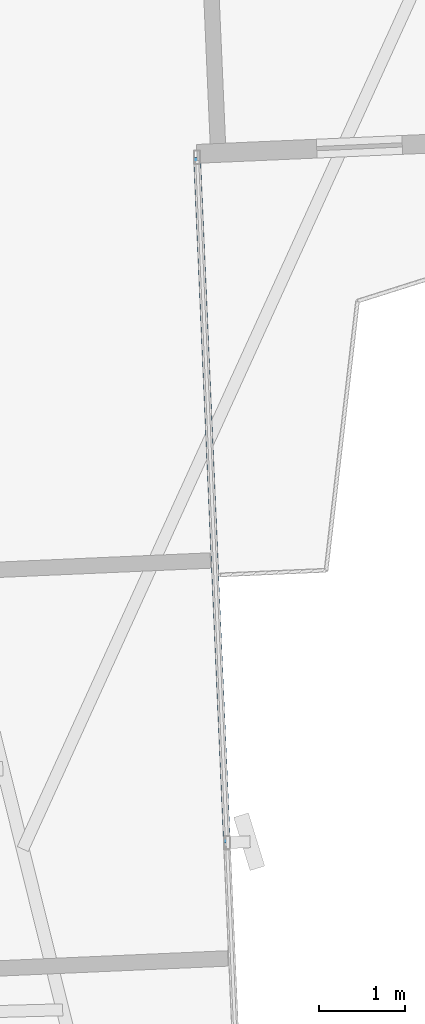
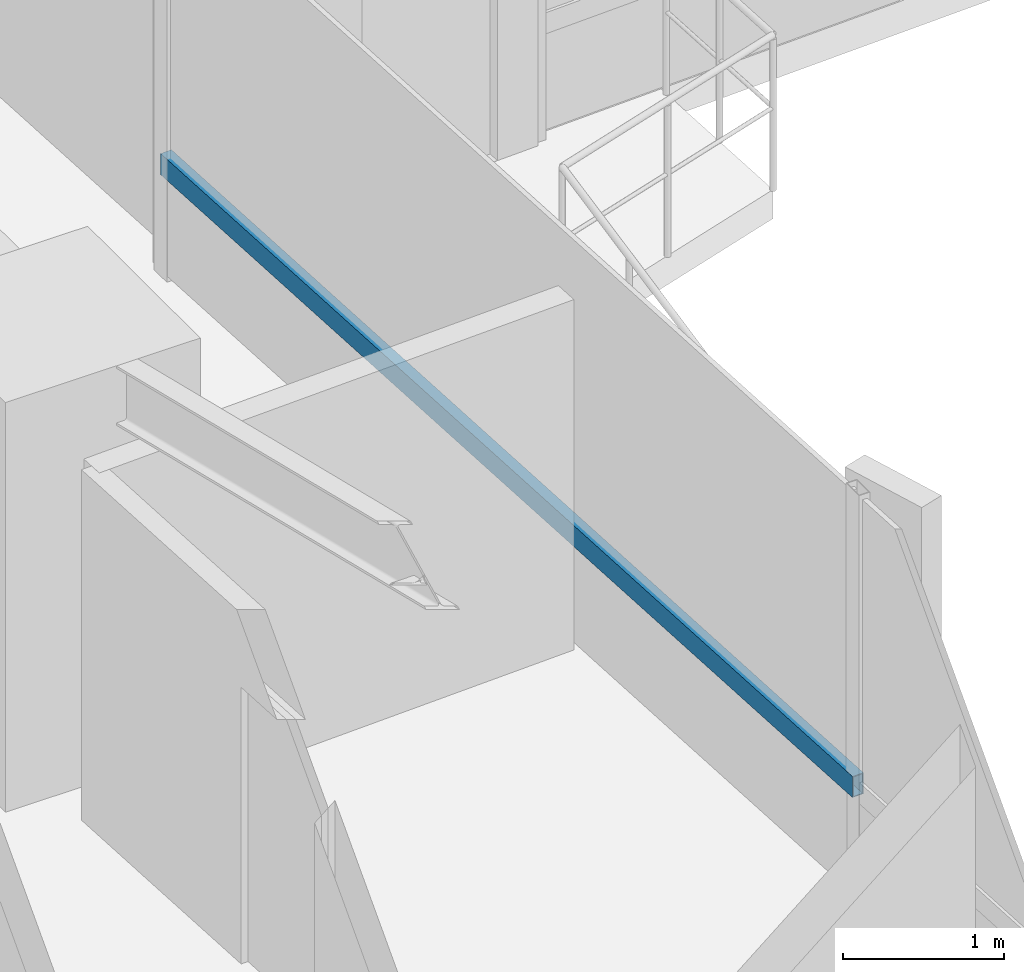
# One storey, part 7 of 26: 1 member, 1 element without a shape of its own.
"""IFC4 building model written with IfcOpenShell, lengths in metres."""

from ifc_helpers import new_model, si_unit, direction, frame, origin, origin_2d, place, context, subcontext, project, spatial, hollow_rectangle, extrude, source, transform, mapped, material, material_profile, profile_set, type_object, element, aggregate, save


model = new_model("IFC4")

# Units and contexts
model_context = context("Model", 3, precision=1e-05, world=origin(), true_north=direction((0.0, 1.0)))
body_context = subcontext(model_context, "Body", "Model", "MODEL_VIEW")
ifc_project = project(units=[si_unit("LENGTHUNIT", "METRE"), si_unit("AREAUNIT", "SQUARE_METRE"), si_unit("VOLUMEUNIT", "CUBIC_METRE"), si_unit("PLANEANGLEUNIT", "RADIAN"), si_unit("MASSUNIT", "GRAM", prefix="KILO")], contexts=[model_context])

# Site, building, storey
site_placement = place(None, origin())
site = spatial("IfcSite", under=ifc_project, at=site_placement, CompositionType="ELEMENT")
building_placement = place(site_placement, origin())
building = spatial("IfcBuilding", under=site, at=building_placement, Name="Sahyath Konkavel Grand Hotel", CompositionType="ELEMENT")
storey_placement = place(building_placement, frame((0.0, 0.0, 128.199951171875)))
storey = spatial("IfcBuildingStorey", under=building, at=storey_placement, Name="L35", CompositionType="ELEMENT", Elevation=128.199951171875)

# Curtain wall, member
ifc_material_1 = material(Name="Anodised Bronze Aluminium & Low-E Glazing", Category="aluminium")
curtain_wall_type = type_object("IfcCurtainWallType", Name="CW-ZONE2", PredefinedType="NOTDEFINED", material=ifc_material_1)
curtain_wall_placement = place(storey_placement, origin())
curtain_wall = element("IfcCurtainWall", 1, at=curtain_wall_placement, inside=storey, type_object=curtain_wall_type, Name="L35 Unitised Curtain Wall F31", PredefinedType="NOTDEFINED")
ifc_material_2 = material(Name="Anodised Bronze Aluminium", Category="aluminium")
ifc_material_profile = material_profile(ifc_material_2, hollow_rectangle(XDim=0.080078125, YDim=0.159912109375, WallThickness=0.006103515625, at=origin_2d()), Name="RHS 160x80x6")
ifc_profile_set = profile_set([ifc_material_profile], Name="Anodised Bronze Aluminium")
member_type = type_object("IfcMemberType", Name="CW-TRN-160", PredefinedType="USERDEFINED", material=ifc_profile_set)
shared_shape = source(origin(), body_context, "Body", "SweptSolid", [
    extrude(hollow_rectangle(XDim=0.080078125, YDim=0.159912109375, WallThickness=0.006103515625, at=origin_2d()), origin(), (0.0, 0.0, 1.0), 8.010009765625),
])
member_placement = place(storey_placement, frame((7.232666015625, -14.34814453125, 0.85009765625), z_axis=(-0.043615785896, 0.999048378819, 0.0), x_axis=(-0.999048378819, -0.043615785896, 0.0)))
member = element("IfcMember", 2, at=member_placement, type_object=member_type, Name="L35 Curtain Wall Transom F31-1-spandrel", ObjectType="TRANSOM", PredefinedType="USERDEFINED", context=body_context, shape_type="MappedRepresentation", body=[
    mapped(shared_shape, transform((0.0, 0.0, 0.0), scale=1.0)),
])
aggregate(curtain_wall, [member])

save(model, "model.ifc")
